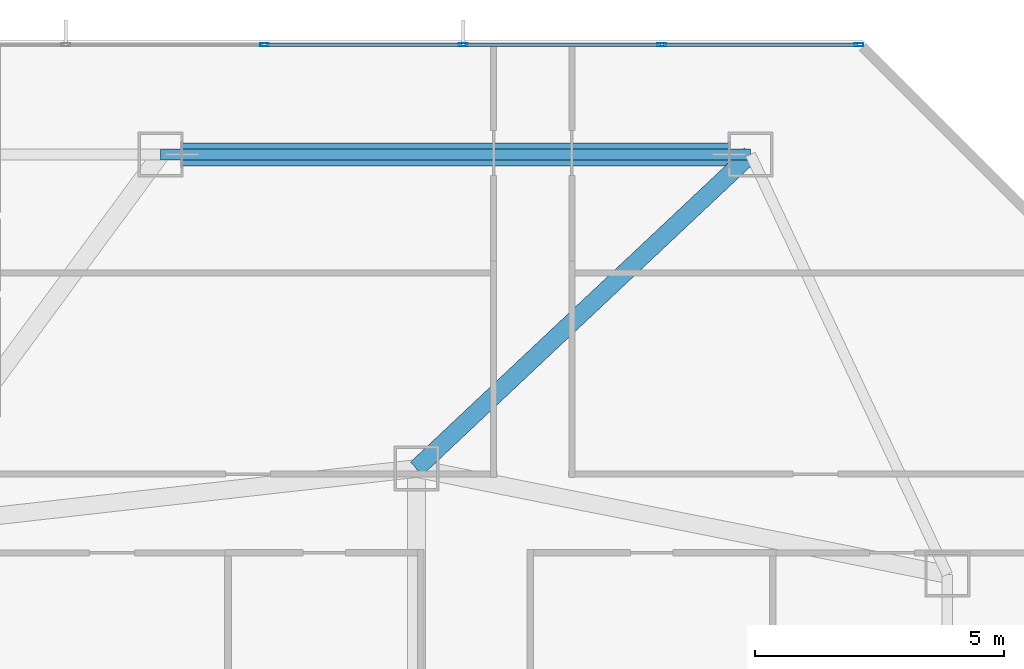
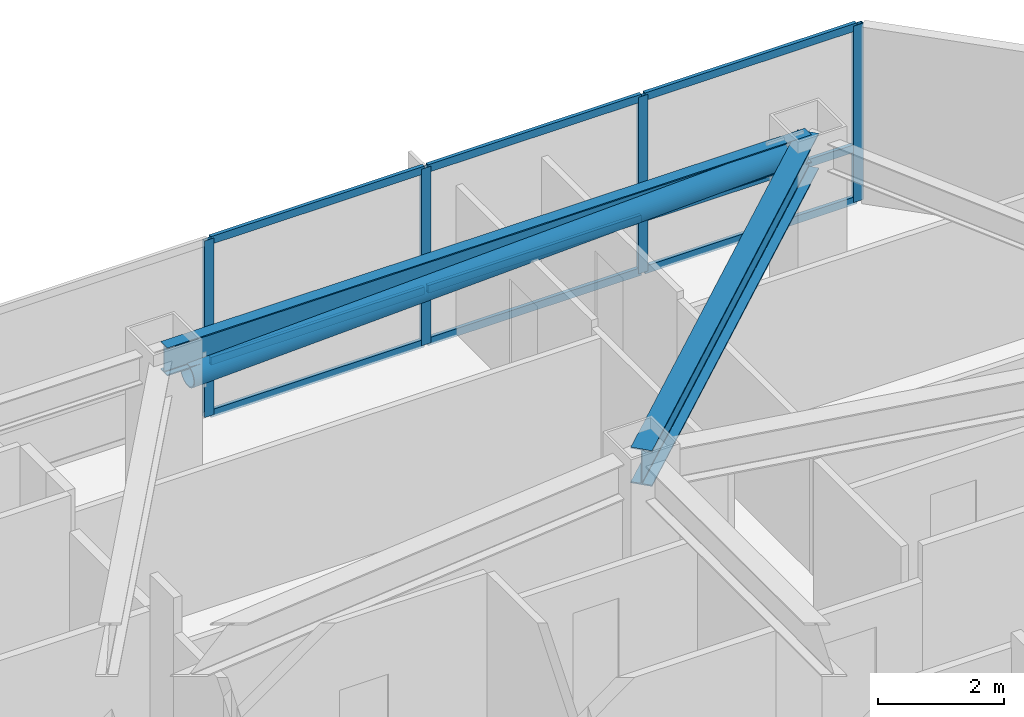
# One storey, part 8 of 21: 14 members, 2 beams, 1 element without a shape of its own.
"""IFC4 building model written with IfcOpenShell, lengths in metres."""

from ifc_helpers import new_model, si_unit, direction, frame, origin, origin_2d, place, context, subcontext, project, spatial, hollow_rectangle, hollow_circle, i_section, extrude, material, material_profile, profile_set, type_object, element, aggregate, save


model = new_model("IFC4")

# Units and contexts
model_context = context("Model", 3, precision=1e-05, world=origin(), true_north=direction((0.0, 1.0)))
body_context = subcontext(model_context, "Body", "Model", "MODEL_VIEW")
ifc_project = project(units=[si_unit("LENGTHUNIT", "METRE"), si_unit("AREAUNIT", "SQUARE_METRE"), si_unit("VOLUMEUNIT", "CUBIC_METRE"), si_unit("PLANEANGLEUNIT", "RADIAN"), si_unit("MASSUNIT", "GRAM", prefix="KILO")], contexts=[model_context])

# Site, building, storey
site_placement = place(None, origin())
site = spatial("IfcSite", under=ifc_project, at=site_placement, CompositionType="ELEMENT")
building_placement = place(site_placement, origin())
building = spatial("IfcBuilding", under=site, at=building_placement, Name="Khamvora Tower", CompositionType="ELEMENT")
storey_placement = place(building_placement, frame((0.0, 0.0, 159.550048828125)))
storey = spatial("IfcBuildingStorey", under=building, at=storey_placement, Name="L40", CompositionType="ELEMENT", Elevation=159.550048828125)

# Beams
ifc_material_1 = material(Name="Steel S355", Category="steel")
ifc_material_profile_1 = material_profile(ifc_material_1, i_section(OverallWidth=0.35498046875, OverallDepth=0.695068359375, WebThickness=0.014892578125, FlangeThickness=0.02490234375, FilletRadius=0.01611328125, at=origin_2d()), Name="W690x217")
ifc_profile_set_1 = profile_set([ifc_material_profile_1], Name="Steel S355")
beam_type_1 = type_object("IfcBeamType", Name="BM-PG-W690x217", PredefinedType="BEAM", material=ifc_profile_set_1)
beam_1_placement = place(storey_placement, frame((50.050048828125, 38.199951171875, 3.08203125), z_axis=(0.728513992294, 0.685030921224, 0.0), x_axis=(-0.685030921224, 0.728513992294, 0.0)))
element("IfcBeam", 1, at=beam_1_placement, inside=storey, type_object=beam_type_1, Name="L40 primary floor girder N4", PredefinedType="BEAM", context=body_context, shape_type="SweptSolid", body=[
    extrude(i_section(OverallWidth=0.35498046875, OverallDepth=0.695068359375, WebThickness=0.014892578125, FlangeThickness=0.02490234375, FilletRadius=0.01611328125, at=origin_2d()), origin(), (0.0, 0.0, 1.0), 9.19677734375),
])
ifc_material_profile_2 = material_profile(ifc_material_1, i_section(OverallWidth=0.2119140625, OverallDepth=0.5439453125, WebThickness=0.012939453125, FlangeThickness=0.02099609375, FilletRadius=0.013916015625, at=origin_2d()), Name="W530x123")
ifc_profile_set_2 = profile_set([ifc_material_profile_2], Name="Steel S355")
beam_type_2 = type_object("IfcBeamType", Name="BM-SP-W530x123", PredefinedType="SPANDREL", material=ifc_profile_set_2)
beam_2_placement = place(storey_placement, frame((56.75, 44.5, 3.157958984375), z_axis=(-1.0, 0.0, 0.0), x_axis=(0.0, -1.0, 0.0)))
element("IfcBeam", 2, at=beam_2_placement, inside=storey, type_object=beam_type_2, Name="L40 perimeter spandrel beam N4-N3", PredefinedType="SPANDREL", context=body_context, shape_type="SweptSolid", body=[
    extrude(i_section(OverallWidth=0.2119140625, OverallDepth=0.5439453125, WebThickness=0.012939453125, FlangeThickness=0.02099609375, FilletRadius=0.013916015625, at=origin_2d()), origin(), (0.0, 0.0, 1.0), 11.8330078125),
])

# Curtain wall, members
ifc_material_2 = material(Name="Anodised Aluminium 6063-T6", Category="aluminium")
curtain_wall_type = type_object("IfcCurtainWallType", Name="CW-SYS-04", PredefinedType="NOTDEFINED", material=ifc_material_2)
curtain_wall_placement = place(storey_placement, origin())
curtain_wall = element("IfcCurtainWall", 3, at=curtain_wall_placement, inside=storey, type_object=curtain_wall_type, Name="L40 stick curtain wall 07.1", PredefinedType="NOTDEFINED")
ifc_material_profile_3 = material_profile(ifc_material_2, hollow_rectangle(XDim=0.06494140625, YDim=0.179931640625, WallThickness=0.0048828125, at=origin_2d()), Name="MUL65x180x5")
ifc_profile_set_3 = profile_set([ifc_material_profile_3], Name="Anodised Aluminium 6063-T6")
member_type_1 = type_object("IfcMemberType", Name="CW-SYS-04-MUL", PredefinedType="MULLION", material=ifc_profile_set_3)
member_1_placement = place(storey_placement, frame((47.001953125, 46.699951171875, 0.0), z_axis=(0.0, 0.0, 1.0), x_axis=(0.0, 1.0, 0.0)))
member_1 = element("IfcMember", 4, at=member_1_placement, type_object=member_type_1, Name="CW-04 mullion 8", PredefinedType="MULLION", context=body_context, shape_type="SweptSolid", body=[
    extrude(hollow_rectangle(XDim=0.06494140625, YDim=0.179931640625, WallThickness=0.0048828125, at=origin_2d()), origin(), (0.0, 0.0, 1.0), 3.429931640625),
])
member_2_placement = place(storey_placement, frame((50.987548828125, 46.699951171875, 0.0), z_axis=(0.0, 0.0, 1.0), x_axis=(0.0, 1.0, 0.0)))
member_2 = element("IfcMember", 5, at=member_2_placement, type_object=member_type_1, Name="CW-04 mullion 9", PredefinedType="MULLION", context=body_context, shape_type="SweptSolid", body=[
    extrude(hollow_rectangle(XDim=0.06494140625, YDim=0.179931640625, WallThickness=0.0048828125, at=origin_2d()), origin(), (0.0, 0.0, 1.0), 3.429931640625),
])
member_3_placement = place(storey_placement, frame((54.973388671875, 46.699951171875, 0.0), z_axis=(0.0, 0.0, 1.0), x_axis=(0.0, 1.0, 0.0)))
member_3 = element("IfcMember", 6, at=member_3_placement, type_object=member_type_1, Name="CW-04 mullion 10", PredefinedType="MULLION", context=body_context, shape_type="SweptSolid", body=[
    extrude(hollow_rectangle(XDim=0.06494140625, YDim=0.179931640625, WallThickness=0.0048828125, at=origin_2d()), origin(), (0.0, 0.0, 1.0), 3.429931640625),
])
member_4_placement = place(storey_placement, frame((58.926513671875, 46.699951171875, 0.0), z_axis=(0.0, 0.0, 1.0), x_axis=(0.0, 1.0, 0.0)))
member_4 = element("IfcMember", 7, at=member_4_placement, type_object=member_type_1, Name="CW-04 mullion 11", PredefinedType="MULLION", context=body_context, shape_type="SweptSolid", body=[
    extrude(hollow_rectangle(XDim=0.06494140625, YDim=0.179931640625, WallThickness=0.0048828125, at=origin_2d()), origin(), (0.0, 0.0, 1.0), 3.429931640625),
])
ifc_material_profile_4 = material_profile(ifc_material_2, hollow_rectangle(XDim=0.06494140625, YDim=0.14990234375, WallThickness=0.0048828125, at=origin_2d()), Name="TRN65x150x5")
ifc_profile_set_4 = profile_set([ifc_material_profile_4], Name="Anodised Aluminium 6063-T6")
member_type_2 = type_object("IfcMemberType", Name="CW-SYS-04-TRN", PredefinedType="USERDEFINED", material=ifc_profile_set_4)
member_5_placement = place(storey_placement, frame((47.034423828125, 46.699951171875, 0.032470703125), z_axis=(1.0, 0.0, 0.0), x_axis=(0.0, 1.0, 0.0)))
member_5 = element("IfcMember", 8, at=member_5_placement, type_object=member_type_2, Name="CW-04 transom 8.1", ObjectType="TRANSOM", PredefinedType="USERDEFINED", context=body_context, shape_type="SweptSolid", body=[
    extrude(hollow_rectangle(XDim=0.06494140625, YDim=0.14990234375, WallThickness=0.0048828125, at=origin_2d()), origin(), (0.0, 0.0, 1.0), 3.920654296875),
])
member_6_placement = place(storey_placement, frame((47.034423828125, 46.699951171875, 1.050048828125), z_axis=(1.0, 0.0, 0.0), x_axis=(0.0, 1.0, 0.0)))
member_6 = element("IfcMember", 9, at=member_6_placement, type_object=member_type_2, Name="CW-04 transom 8.2", ObjectType="TRANSOM", PredefinedType="USERDEFINED", context=body_context, shape_type="SweptSolid", body=[
    extrude(hollow_rectangle(XDim=0.06494140625, YDim=0.14990234375, WallThickness=0.0048828125, at=origin_2d()), origin(), (0.0, 0.0, 1.0), 3.920654296875),
])
member_7_placement = place(storey_placement, frame((47.034423828125, 46.699951171875, 3.3974609375), z_axis=(1.0, 0.0, 0.0), x_axis=(0.0, 1.0, 0.0)))
member_7 = element("IfcMember", 10, at=member_7_placement, type_object=member_type_2, Name="CW-04 transom 8.3", ObjectType="TRANSOM", PredefinedType="USERDEFINED", context=body_context, shape_type="SweptSolid", body=[
    extrude(hollow_rectangle(XDim=0.06494140625, YDim=0.14990234375, WallThickness=0.0048828125, at=origin_2d()), origin(), (0.0, 0.0, 1.0), 3.920654296875),
])
member_8_placement = place(storey_placement, frame((51.02001953125, 46.699951171875, 0.032470703125), z_axis=(1.0, 0.0, 0.0), x_axis=(0.0, 1.0, 0.0)))
member_8 = element("IfcMember", 11, at=member_8_placement, type_object=member_type_2, Name="CW-04 transom 9.1", ObjectType="TRANSOM", PredefinedType="USERDEFINED", context=body_context, shape_type="SweptSolid", body=[
    extrude(hollow_rectangle(XDim=0.06494140625, YDim=0.14990234375, WallThickness=0.0048828125, at=origin_2d()), origin(), (0.0, 0.0, 1.0), 3.9208984375),
])
member_9_placement = place(storey_placement, frame((51.02001953125, 46.699951171875, 1.050048828125), z_axis=(1.0, 0.0, 0.0), x_axis=(0.0, 1.0, 0.0)))
member_9 = element("IfcMember", 12, at=member_9_placement, type_object=member_type_2, Name="CW-04 transom 9.2", ObjectType="TRANSOM", PredefinedType="USERDEFINED", context=body_context, shape_type="SweptSolid", body=[
    extrude(hollow_rectangle(XDim=0.06494140625, YDim=0.14990234375, WallThickness=0.0048828125, at=origin_2d()), origin(), (0.0, 0.0, 1.0), 3.9208984375),
])
member_10_placement = place(storey_placement, frame((51.02001953125, 46.699951171875, 3.3974609375), z_axis=(1.0, 0.0, 0.0), x_axis=(0.0, 1.0, 0.0)))
member_10 = element("IfcMember", 13, at=member_10_placement, type_object=member_type_2, Name="CW-04 transom 9.3", ObjectType="TRANSOM", PredefinedType="USERDEFINED", context=body_context, shape_type="SweptSolid", body=[
    extrude(hollow_rectangle(XDim=0.06494140625, YDim=0.14990234375, WallThickness=0.0048828125, at=origin_2d()), origin(), (0.0, 0.0, 1.0), 3.9208984375),
])
member_11_placement = place(storey_placement, frame((55.005859375, 46.699951171875, 0.032470703125), z_axis=(1.0, 0.0, 0.0), x_axis=(0.0, 1.0, 0.0)))
member_11 = element("IfcMember", 14, at=member_11_placement, type_object=member_type_2, Name="CW-04 transom 10.1", ObjectType="TRANSOM", PredefinedType="USERDEFINED", context=body_context, shape_type="SweptSolid", body=[
    extrude(hollow_rectangle(XDim=0.06494140625, YDim=0.14990234375, WallThickness=0.0048828125, at=origin_2d()), origin(), (0.0, 0.0, 1.0), 3.88818359375),
])
member_12_placement = place(storey_placement, frame((55.005859375, 46.699951171875, 1.050048828125), z_axis=(1.0, 0.0, 0.0), x_axis=(0.0, 1.0, 0.0)))
member_12 = element("IfcMember", 15, at=member_12_placement, type_object=member_type_2, Name="CW-04 transom 10.2", ObjectType="TRANSOM", PredefinedType="USERDEFINED", context=body_context, shape_type="SweptSolid", body=[
    extrude(hollow_rectangle(XDim=0.06494140625, YDim=0.14990234375, WallThickness=0.0048828125, at=origin_2d()), origin(), (0.0, 0.0, 1.0), 3.88818359375),
])
member_13_placement = place(storey_placement, frame((55.005859375, 46.699951171875, 3.3974609375), z_axis=(1.0, 0.0, 0.0), x_axis=(0.0, 1.0, 0.0)))
member_13 = element("IfcMember", 16, at=member_13_placement, type_object=member_type_2, Name="CW-04 transom 10.3", ObjectType="TRANSOM", PredefinedType="USERDEFINED", context=body_context, shape_type="SweptSolid", body=[
    extrude(hollow_rectangle(XDim=0.06494140625, YDim=0.14990234375, WallThickness=0.0048828125, at=origin_2d()), origin(), (0.0, 0.0, 1.0), 3.88818359375),
])
aggregate(curtain_wall, [member_1, member_2, member_3, member_4, member_5, member_6, member_7, member_8, member_9, member_10, member_11, member_12, member_13])

# Member
ifc_material_profile_5 = material_profile(ifc_material_1, hollow_circle(Radius=0.228515625, WallThickness=0.02001953125, at=origin_2d()), Name="CHS457x20")
ifc_profile_set_5 = profile_set([ifc_material_profile_5], Name="Steel S355")
member_type_3 = type_object("IfcMemberType", Name="MEM-BR-CHS457", PredefinedType="BRACE", material=ifc_profile_set_5)
member_14_placement = place(storey_placement, frame((45.346923828125, 44.5, 2.697998046875), z_axis=(0.999174860809, 0.0, 0.040615237634), x_axis=(0.0, 1.0, 0.0)))
element("IfcMember", 17, at=member_14_placement, inside=storey, type_object=member_type_3, Name="L40 perimeter wind brace 2", PredefinedType="BRACE", context=body_context, shape_type="SweptSolid", body=[
    extrude(hollow_circle(Radius=0.228515625, WallThickness=0.02001953125, at=origin_2d()), origin(), (0.0, 0.0, 1.0), 10.982177734375),
])

save(model, "model.ifc")
